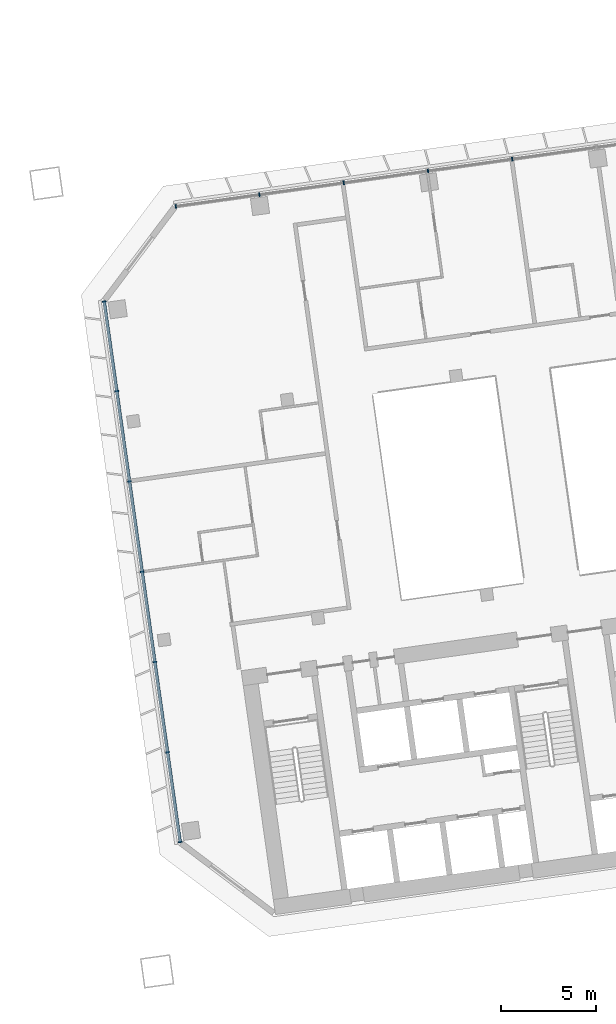
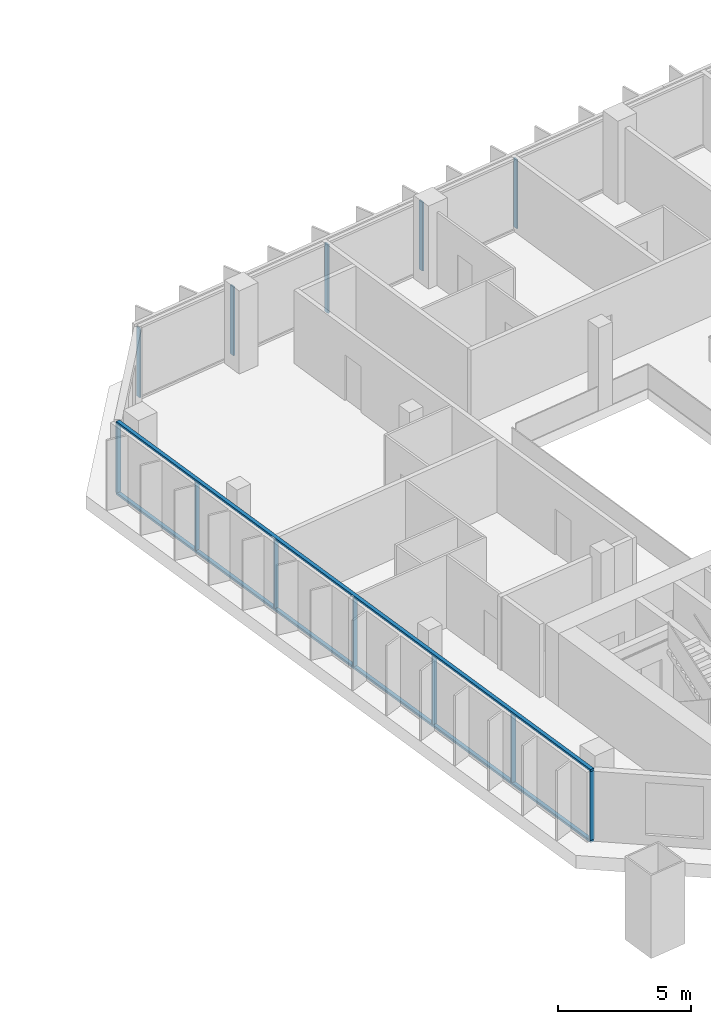
# One storey, part 7 of 24: 14 members, 2 elements without a shape of their own.
"""IFC4 building model written with IfcOpenShell, lengths in metres."""

from ifc_helpers import new_model, si_unit, direction, frame, origin, origin_2d, place, context, subcontext, project, spatial, rectangle, extrude, material, material_profile, profile_set, type_object, element, aggregate, save


model = new_model("IFC4")

# Units and contexts
model_context = context("Model", 3, precision=1e-05, world=origin(), true_north=direction((0.0, 1.0)))
body_context = subcontext(model_context, "Body", "Model", "MODEL_VIEW")
ifc_project = project(units=[si_unit("LENGTHUNIT", "METRE"), si_unit("AREAUNIT", "SQUARE_METRE"), si_unit("VOLUMEUNIT", "CUBIC_METRE"), si_unit("PLANEANGLEUNIT", "RADIAN"), si_unit("MASSUNIT", "GRAM", prefix="KILO")], contexts=[model_context])

# Site, building, storey
site_placement = place(None, origin())
site = spatial("IfcSite", under=ifc_project, at=site_placement, CompositionType="ELEMENT")
building_placement = place(site_placement, origin())
building = spatial("IfcBuilding", under=site, at=building_placement, Name="Mirante Cascada Hotel Towers", CompositionType="ELEMENT")
storey_placement = place(building_placement, frame((0.0, 0.0, 132.9)))
storey = spatial("IfcBuildingStorey", under=building, at=storey_placement, Name="L30", CompositionType="ELEMENT", Elevation=132.9)

# Curtain wall, members
ifc_material_1 = material(Name="Aluminium mullion and transom frame with clear laminated glass", Category="aluminium")
curtain_wall_type_1 = type_object("IfcCurtainWallType", Name="Ribbon curtain wall ECW1", PredefinedType="NOTDEFINED", material=ifc_material_1)
curtain_wall_1_placement = place(storey_placement, origin())
curtain_wall_1 = element("IfcCurtainWall", 1, at=curtain_wall_1_placement, inside=storey, type_object=curtain_wall_type_1, Name="Front ribbon wall T2 L30", PredefinedType="NOTDEFINED")
ifc_material_2 = material(Name="Anodised aluminium extrusion", Category="aluminium")
ifc_material_profile_1 = material_profile(ifc_material_2, rectangle(XDim=0.2, YDim=0.065, at=origin_2d()), Name="ECW1 MULLION 65x200")
ifc_profile_set_1 = profile_set([ifc_material_profile_1], Name="Anodised aluminium extrusion")
member_type_1 = type_object("IfcMemberType", Name="ECW1 mullion 65x200", PredefinedType="MULLION", material=ifc_profile_set_1)
member_1_placement = place(storey_placement, frame((49.684, 19.8017, 0.1), z_axis=(0.0, 0.0, 1.0), x_axis=(0.1391731, -0.9902681, 0.0)))
member_1 = element("IfcMember", 2, at=member_1_placement, type_object=member_type_1, Name="ECW1 mullion 11", PredefinedType="MULLION", context=body_context, shape_type="SweptSolid", body=[
    extrude(rectangle(XDim=0.2, YDim=0.065, at=origin_2d()), origin(), (0.0, 0.0, 1.0), 3.15),
])
member_2_placement = place(storey_placement, frame((45.2366, 19.1766, 0.1), z_axis=(0.0, 0.0, 1.0), x_axis=(0.1391731, -0.9902681, 0.0)))
member_2 = element("IfcMember", 3, at=member_2_placement, type_object=member_type_1, Name="ECW1 mullion 12", PredefinedType="MULLION", context=body_context, shape_type="SweptSolid", body=[
    extrude(rectangle(XDim=0.2, YDim=0.065, at=origin_2d()), origin(), (0.0, 0.0, 1.0), 3.15),
])
member_3_placement = place(storey_placement, frame((40.7892, 18.5516, 0.1), z_axis=(0.0, 0.0, 1.0), x_axis=(0.1391731, -0.9902681, 0.0)))
member_3 = element("IfcMember", 4, at=member_3_placement, type_object=member_type_1, Name="ECW1 mullion 13", PredefinedType="MULLION", context=body_context, shape_type="SweptSolid", body=[
    extrude(rectangle(XDim=0.2, YDim=0.065, at=origin_2d()), origin(), (0.0, 0.0, 1.0), 3.15),
])
member_4_placement = place(storey_placement, frame((36.3417, 17.9265, 0.1), z_axis=(0.0, 0.0, 1.0), x_axis=(0.1391731, -0.9902681, 0.0)))
member_4 = element("IfcMember", 5, at=member_4_placement, type_object=member_type_1, Name="ECW1 mullion 14", PredefinedType="MULLION", context=body_context, shape_type="SweptSolid", body=[
    extrude(rectangle(XDim=0.2, YDim=0.065, at=origin_2d()), origin(), (0.0, 0.0, 1.0), 3.15),
])
member_5_placement = place(storey_placement, frame((31.9265, 17.306, 0.1), z_axis=(0.0, 0.0, 1.0), x_axis=(0.1391731, -0.9902681, 0.0)))
member_5 = element("IfcMember", 6, at=member_5_placement, type_object=member_type_1, Name="ECW1 mullion 15", PredefinedType="MULLION", context=body_context, shape_type="SweptSolid", body=[
    extrude(rectangle(XDim=0.2, YDim=0.065, at=origin_2d()), origin(), (0.0, 0.0, 1.0), 3.15),
])
aggregate(curtain_wall_1, [member_1, member_2, member_3, member_4, member_5])

ifc_material_3 = material(Name="Aluminium mullion and transom frame with clear laminated glass", Category="aluminium")
curtain_wall_type_2 = type_object("IfcCurtainWallType", Name="End ribbon curtain wall ECW2", PredefinedType="NOTDEFINED", material=ifc_material_3)
curtain_wall_2_placement = place(storey_placement, origin())
curtain_wall_2 = element("IfcCurtainWall", 7, at=curtain_wall_2_placement, inside=storey, type_object=curtain_wall_type_2, Name="Inner end wall T2 L30", PredefinedType="NOTDEFINED")
ifc_material_4 = material(Name="Anodised aluminium extrusion", Category="aluminium")
ifc_material_profile_2 = material_profile(ifc_material_4, rectangle(XDim=0.2, YDim=0.065, at=origin_2d()), Name="ECW2 MULLION 65x200")
ifc_profile_set_2 = profile_set([ifc_material_profile_2], Name="Anodised aluminium extrusion")
member_type_2 = type_object("IfcMemberType", Name="ECW2 mullion 65x200", PredefinedType="MULLION", material=ifc_profile_set_2)
member_6_placement = place(storey_placement, frame((28.1437, 12.2861, 0.1), z_axis=(0.0, 0.0, 1.0), x_axis=(0.9902681, 0.1391731, 0.0)))
member_6 = element("IfcMember", 8, at=member_6_placement, type_object=member_type_2, Name="ECW2 mullion 1", PredefinedType="MULLION", context=body_context, shape_type="SweptSolid", body=[
    extrude(rectangle(XDim=0.2, YDim=0.065, at=origin_2d()), origin(), (0.0, 0.0, 1.0), 3.15),
])
member_7_placement = place(storey_placement, frame((28.809, 7.5524, 0.1), z_axis=(0.0, 0.0, 1.0), x_axis=(0.9902681, 0.1391731, 0.0)))
member_7 = element("IfcMember", 9, at=member_7_placement, type_object=member_type_2, Name="ECW2 mullion 2", PredefinedType="MULLION", context=body_context, shape_type="SweptSolid", body=[
    extrude(rectangle(XDim=0.2, YDim=0.065, at=origin_2d()), origin(), (0.0, 0.0, 1.0), 3.15),
])
member_8_placement = place(storey_placement, frame((29.4788, 2.7867, 0.1), z_axis=(0.0, 0.0, 1.0), x_axis=(0.9902681, 0.1391731, 0.0)))
member_8 = element("IfcMember", 10, at=member_8_placement, type_object=member_type_2, Name="ECW2 mullion 3", PredefinedType="MULLION", context=body_context, shape_type="SweptSolid", body=[
    extrude(rectangle(XDim=0.2, YDim=0.065, at=origin_2d()), origin(), (0.0, 0.0, 1.0), 3.15),
])
member_9_placement = place(storey_placement, frame((30.1485, -1.9791, 0.1), z_axis=(0.0, 0.0, 1.0), x_axis=(0.9902681, 0.1391731, 0.0)))
member_9 = element("IfcMember", 11, at=member_9_placement, type_object=member_type_2, Name="ECW2 mullion 4", PredefinedType="MULLION", context=body_context, shape_type="SweptSolid", body=[
    extrude(rectangle(XDim=0.2, YDim=0.065, at=origin_2d()), origin(), (0.0, 0.0, 1.0), 3.15),
])
member_10_placement = place(storey_placement, frame((30.8183, -6.7449, 0.1), z_axis=(0.0, 0.0, 1.0), x_axis=(0.9902681, 0.1391731, 0.0)))
member_10 = element("IfcMember", 12, at=member_10_placement, type_object=member_type_2, Name="ECW2 mullion 5", PredefinedType="MULLION", context=body_context, shape_type="SweptSolid", body=[
    extrude(rectangle(XDim=0.2, YDim=0.065, at=origin_2d()), origin(), (0.0, 0.0, 1.0), 3.15),
])
member_11_placement = place(storey_placement, frame((31.4881, -11.5107, 0.1), z_axis=(0.0, 0.0, 1.0), x_axis=(0.9902681, 0.1391731, 0.0)))
member_11 = element("IfcMember", 13, at=member_11_placement, type_object=member_type_2, Name="ECW2 mullion 6", PredefinedType="MULLION", context=body_context, shape_type="SweptSolid", body=[
    extrude(rectangle(XDim=0.2, YDim=0.065, at=origin_2d()), origin(), (0.0, 0.0, 1.0), 3.15),
])
member_12_placement = place(storey_placement, frame((32.1534, -16.2443, 0.1), z_axis=(0.0, 0.0, 1.0), x_axis=(0.9902681, 0.1391731, 0.0)))
member_12 = element("IfcMember", 14, at=member_12_placement, type_object=member_type_2, Name="ECW2 mullion 7", PredefinedType="MULLION", context=body_context, shape_type="SweptSolid", body=[
    extrude(rectangle(XDim=0.2, YDim=0.065, at=origin_2d()), origin(), (0.0, 0.0, 1.0), 3.15),
])
ifc_material_5 = material(Name="Anodised aluminium extrusion", Category="aluminium")
ifc_material_profile_3 = material_profile(ifc_material_5, rectangle(XDim=0.16, YDim=0.1, at=origin_2d()), Name="ECW2 TRANSOM 100x160")
ifc_profile_set_3 = profile_set([ifc_material_profile_3], Name="Anodised aluminium extrusion")
member_type_3 = type_object("IfcMemberType", Name="ECW2 transom 100x160", PredefinedType="USERDEFINED", material=ifc_profile_set_3)
member_13_placement = place(storey_placement, frame((28.1392, 12.3182, 0.05), z_axis=(0.1391723, -0.9902682, 0.0), x_axis=(0.9902682, 0.1391723, 0.0)))
member_13 = element("IfcMember", 15, at=member_13_placement, type_object=member_type_3, Name="ECW2 sill transom", ObjectType="TRANSOM", PredefinedType="USERDEFINED", context=body_context, shape_type="SweptSolid", body=[
    extrude(rectangle(XDim=0.16, YDim=0.1, at=origin_2d()), origin(), (0.0, 0.0, 1.0), 28.8757),
])
member_14_placement = place(storey_placement, frame((28.1392, 12.3182, 3.3), z_axis=(0.1391723, -0.9902682, 0.0), x_axis=(0.9902682, 0.1391723, 0.0)))
member_14 = element("IfcMember", 16, at=member_14_placement, type_object=member_type_3, Name="ECW2 head transom", ObjectType="TRANSOM", PredefinedType="USERDEFINED", context=body_context, shape_type="SweptSolid", body=[
    extrude(rectangle(XDim=0.16, YDim=0.1, at=origin_2d()), origin(), (0.0, 0.0, 1.0), 28.8757),
])
aggregate(curtain_wall_2, [member_13, member_14, member_6, member_7, member_8, member_9, member_10, member_11, member_12])

save(model, "model.ifc")
